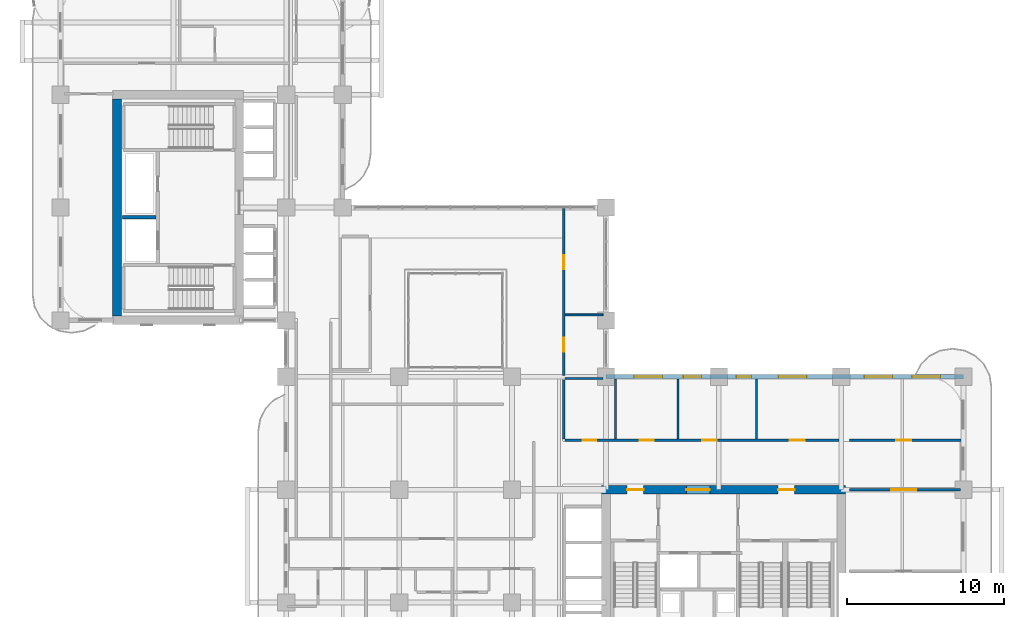
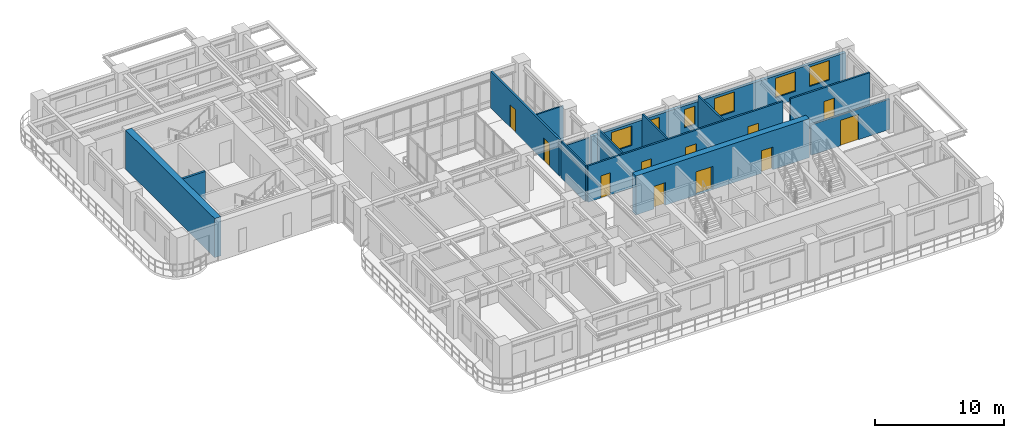
# One storey, part 15 of 22: 14 walls, 11 doors, 6 windows, 17 openings.
"""IFC4 building model written with IfcOpenShell, lengths in metres."""

from ifc_helpers import new_model, si_unit, derived_unit, direction, frame, frame_2d, origin, place, context, subcontext, project, spatial, rectangle, extrude, source, transform, mapped, material, layer, layer_set, type_object, type_shapes, element, fill, save


model = new_model("IFC4")

# Units and contexts
model_context = context("Model", 3, precision=1e-05, world=origin(), true_north=direction((0.0, 1.0)))
body_context = subcontext(model_context, "Body", "Model", "MODEL_VIEW")
ifc_project = project(units=[si_unit("LENGTHUNIT", "METRE"), si_unit("AREAUNIT", "SQUARE_METRE"), si_unit("VOLUMEUNIT", "CUBIC_METRE"), si_unit("PLANEANGLEUNIT", "RADIAN"), si_unit("MASSUNIT", "GRAM", prefix="KILO"), si_unit("THERMODYNAMICTEMPERATUREUNIT", "KELVIN"), si_unit("POWERUNIT", "WATT"), derived_unit("THERMALTRANSMITTANCEUNIT", [(si_unit("POWERUNIT", "WATT"), 1), (si_unit("AREAUNIT", "SQUARE_METRE"), -1), (si_unit("THERMODYNAMICTEMPERATUREUNIT", "KELVIN"), -1)])], contexts=[model_context])

# Site, building, storey
site_placement = place(None, origin())
site = spatial("IfcSite", under=ifc_project, at=site_placement, CompositionType="ELEMENT")
building_placement = place(site_placement, origin())
building = spatial("IfcBuilding", under=site, at=building_placement, Name="Zahravan Archway Hotel and Residences", CompositionType="ELEMENT")
storey_placement = place(building_placement, frame((0.0, 0.0, 80.5)))
storey = spatial("IfcBuildingStorey", under=building, at=storey_placement, Name="L19", CompositionType="ELEMENT", Elevation=80.5)

# Wall, openings, doors
ifc_material_1 = material(Name="Concrete C70/85", Category="concrete")
ifc_layer_1 = layer(ifc_material_1, 0.550048828125, Name="Concrete C70/85", Category="concrete")
ifc_layer_set_1 = layer_set([ifc_layer_1], Name="Concrete C70/85")
wall_type_1 = type_object("IfcWallType", Name="CW-CORE-550", PredefinedType="SHEAR", material=ifc_layer_set_1)
wall_1_placement = place(storey_placement, frame((34.52490234375, 14.39990234375, 0.0), z_axis=(0.0, 0.0, 1.0), x_axis=(1.0, 0.0, 0.0)))
wall_1 = element("IfcWall", 1, at=wall_1_placement, inside=storey, type_object=wall_type_1, Name="L19 Core A Shear N Wall 550 mm", PredefinedType="SHEAR", context=body_context, shape_type="SweptSolid", body=[
    extrude(rectangle(XDim=15.550048828125, YDim=0.550048828125, at=frame_2d((7.77490234375, 0.0))), origin(), (0.0, 0.0, 1.0), 3.699951171875),
])
opening_1_placement = place(wall_1_placement, frame((5.405029296875, 0.0, 0.0)))
opening_1 = element("IfcOpeningElement", 2, at=opening_1_placement, cuts=wall_1, Name="Opening FD-L1", PredefinedType="OPENING", context=body_context, shape_type="SweptSolid", body=[
    extrude(rectangle(XDim=1.5, YDim=2.199951171875, at=frame_2d((0.75, 1.10009765625))), frame((0.0, 0.28515625, 0.0), z_axis=(0.0, -1.0, 0.0), x_axis=(1.0, 0.0, 0.0)), (0.0, 0.0, 1.0), 0.570068359375),
])
opening_2_placement = place(wall_1_placement, frame((1.6201171875, 0.0, 0.0)))
opening_2 = element("IfcOpeningElement", 3, at=opening_2_placement, cuts=wall_1, Name="Opening FD-L2", PredefinedType="OPENING", context=body_context, shape_type="SweptSolid", body=[
    extrude(rectangle(XDim=1.050048828125, YDim=2.14990234375, at=frame_2d((0.52490234375, 1.074951171875))), frame((0.0, 0.28515625, 0.0), z_axis=(0.0, -1.0, 0.0), x_axis=(1.0, 0.0, 0.0)), (0.0, 0.0, 1.0), 0.570068359375),
])
opening_3_placement = place(wall_1_placement, frame((11.25, 0.0, 0.0)))
opening_3 = element("IfcOpeningElement", 4, at=opening_3_placement, cuts=wall_1, Name="Opening FD-L2", PredefinedType="OPENING", context=body_context, shape_type="SweptSolid", body=[
    extrude(rectangle(XDim=1.050048828125, YDim=2.14990234375, at=frame_2d((0.52490234375, 1.074951171875))), frame((0.0, 0.28515625, 0.0), z_axis=(0.0, -1.0, 0.0), x_axis=(1.0, 0.0, 0.0)), (0.0, 0.0, 1.0), 0.570068359375),
])
ifc_material_2 = material(Name="Fire-Rated Painted Steel", Category="steel")
door_type_1 = type_object("IfcDoorType", Name="FD-LOBBY-1100", OperationType="NOTDEFINED", PredefinedType="DOOR", material=ifc_material_2)
shared_shape_1 = source(origin(), body_context, "Body", "SweptSolid", [
    extrude(rectangle(XDim=1.050048828125, YDim=2.14990234375, at=frame_2d((0.52490234375, 1.074951171875))), frame((0.0, 0.02490234375, 0.0), z_axis=(0.0, -1.0, 0.0), x_axis=(1.0, 0.0, 0.0)), (0.0, 0.0, 1.0), 0.050048828125),
])
type_shapes(door_type_1, [shared_shape_1])
door_1_placement = place(opening_2_placement, origin())
door_1 = element("IfcDoor", 5, at=door_1_placement, inside=storey, type_object=door_type_1, Name="L19 Core A West Stair Lobby Door", OperationType="SINGLE_SWING_RIGHT", OverallHeight=2.14990234375, OverallWidth=1.050048828125, PredefinedType="DOOR", context=body_context, shape_type="MappedRepresentation", body=[
    mapped(shared_shape_1, transform((0.0, 0.0, 0.0), scale=1.0)),
])
fill(opening_2, door_1)
door_2_placement = place(opening_3_placement, origin())
door_2 = element("IfcDoor", 6, at=door_2_placement, inside=storey, type_object=door_type_1, Name="L19 Core A East Stair Lobby Door", OperationType="SINGLE_SWING_LEFT", OverallHeight=2.14990234375, OverallWidth=1.050048828125, PredefinedType="DOOR", context=body_context, shape_type="MappedRepresentation", body=[
    mapped(shared_shape_1, transform((0.0, 0.0, 0.0), scale=1.0)),
])
fill(opening_3, door_2)
door_type_2 = type_object("IfcDoorType", Name="FD-LOBBY-1500", OperationType="DOUBLE_DOOR_SINGLE_SWING", PredefinedType="DOOR", material=ifc_material_2)
shared_shape_2 = source(origin(), body_context, "Body", "SweptSolid", [
    extrude(rectangle(XDim=1.5, YDim=2.199951171875, at=frame_2d((0.75, 1.10009765625))), frame((0.0, 0.02490234375, 0.0), z_axis=(0.0, -1.0, 0.0), x_axis=(1.0, 0.0, 0.0)), (0.0, 0.0, 1.0), 0.050048828125),
])
type_shapes(door_type_2, [shared_shape_2])
door_3_placement = place(opening_1_placement, origin())
door_3 = element("IfcDoor", 7, at=door_3_placement, inside=storey, type_object=door_type_2, Name="L19 Core A FSAE Lobby Main Door", OperationType="DOUBLE_DOOR_SINGLE_SWING", OverallHeight=2.199951171875, OverallWidth=1.5, PredefinedType="DOOR", context=body_context, shape_type="MappedRepresentation", body=[
    mapped(shared_shape_2, transform((0.0, 0.0, 0.0), scale=1.0)),
])
fill(opening_1, door_3)

# Wall
wall_2_placement = place(storey_placement, frame((3.60009765625, 25.47509765625, 0.0), z_axis=(0.0, 0.0, 1.0), x_axis=(0.0, 1.0, 0.0)))
element("IfcWall", 8, at=wall_2_placement, inside=storey, type_object=wall_type_1, Name="L19 Core B Shear W Wall 550 mm", PredefinedType="SHEAR", context=body_context, shape_type="SweptSolid", body=[
    extrude(rectangle(XDim=13.849853515625, YDim=0.550048828125, at=frame_2d((6.9248046875, 0.0))), origin(), (0.0, 0.0, 1.0), 3.699951171875),
])

# Wall, openings, windows
ifc_material_3 = material(Name="Honed Red-Ochre Sandstone & Insulated Block", Category="masonry")
ifc_layer_2 = layer(ifc_material_3, 0.280029296875, Name="Honed Red-Ochre Sandstone & Insulated Block", Category="masonry")
ifc_layer_set_2 = layer_set([ifc_layer_2], Name="Honed Red-Ochre Sandstone & Insulated Block")
wall_type_2 = type_object("IfcWallType", Name="EW-LOG-280", PredefinedType="SOLIDWALL", material=ifc_layer_set_2)
wall_3_placement = place(storey_placement, frame((34.800048828125, 21.60009765625, 0.0), z_axis=(0.0, 0.0, 1.0), x_axis=(1.0, 0.0, 0.0)))
wall_3 = element("IfcWall", 9, at=wall_3_placement, inside=storey, type_object=wall_type_2, Name="L19 Exterior Sandstone Wall WA-NE", PredefinedType="SOLIDWALL", context=body_context, shape_type="SweptSolid", body=[
    extrude(rectangle(XDim=22.800048828125, YDim=0.280029296875, at=frame_2d((11.39990234375, 0.0))), origin(), (0.0, 0.0, 1.0), 2.885009765625),
])
opening_4_placement = place(wall_3_placement, frame((1.7958984375, 0.0, 0.800048828125)))
opening_4 = element("IfcOpeningElement", 10, at=opening_4_placement, cuts=wall_3, Name="Opening W-02", PredefinedType="OPENING", context=body_context, shape_type="SweptSolid", body=[
    extrude(rectangle(XDim=1.800048828125, YDim=1.85009765625, at=frame_2d((0.89990234375, 0.925048828125))), frame((0.0, 0.14990234375, 0.0), z_axis=(0.0, -1.0, 0.0), x_axis=(1.0, 0.0, 0.0)), (0.0, 0.0, 1.0), 0.300048828125),
])
opening_5_placement = place(wall_3_placement, frame((4.928955078125, 0.0, 0.800048828125)))
opening_5 = element("IfcOpeningElement", 11, at=opening_5_placement, cuts=wall_3, Name="Opening W-05", PredefinedType="OPENING", context=body_context, shape_type="SweptSolid", body=[
    extrude(rectangle(XDim=1.14990234375, YDim=1.800048828125, at=frame_2d((0.574951171875, 0.89990234375))), frame((0.0, 0.14990234375, 0.0), z_axis=(0.0, -1.0, 0.0), x_axis=(1.0, 0.0, 0.0)), (0.0, 0.0, 1.0), 0.300048828125),
])
opening_6_placement = place(wall_3_placement, frame((8.321044921875, 0.0, 0.800048828125)))
opening_6 = element("IfcOpeningElement", 12, at=opening_6_placement, cuts=wall_3, Name="Opening W-04", PredefinedType="OPENING", context=body_context, shape_type="SweptSolid", body=[
    extrude(rectangle(XDim=0.949951171875, YDim=1.75, at=frame_2d((0.47509765625, 0.875))), frame((0.0, 0.14990234375, 0.0), z_axis=(0.0, -1.0, 0.0), x_axis=(1.0, 0.0, 0.0)), (0.0, 0.0, 1.0), 0.300048828125),
])
opening_7_placement = place(wall_3_placement, frame((11.00390625, 0.0, 0.800048828125)))
opening_7 = element("IfcOpeningElement", 13, at=opening_7_placement, cuts=wall_3, Name="Opening W-02", PredefinedType="OPENING", context=body_context, shape_type="SweptSolid", body=[
    extrude(rectangle(XDim=1.800048828125, YDim=1.85009765625, at=frame_2d((0.89990234375, 0.925048828125))), frame((0.0, 0.14990234375, 0.0), z_axis=(0.0, -1.0, 0.0), x_axis=(1.0, 0.0, 0.0)), (0.0, 0.0, 1.0), 0.300048828125),
])
opening_8_placement = place(wall_3_placement, frame((16.47509765625, 0.0, 0.800048828125)))
opening_8 = element("IfcOpeningElement", 14, at=opening_8_placement, cuts=wall_3, Name="Opening W-02", PredefinedType="OPENING", context=body_context, shape_type="SweptSolid", body=[
    extrude(rectangle(XDim=1.800048828125, YDim=1.85009765625, at=frame_2d((0.89990234375, 0.925048828125))), frame((0.0, 0.14990234375, 0.0), z_axis=(0.0, -1.0, 0.0), x_axis=(1.0, 0.0, 0.0)), (0.0, 0.0, 1.0), 0.300048828125),
])
opening_9_placement = place(wall_3_placement, frame((19.52490234375, 0.0, 0.800048828125)))
opening_9 = element("IfcOpeningElement", 15, at=opening_9_placement, cuts=wall_3, Name="Opening W-02", PredefinedType="OPENING", context=body_context, shape_type="SweptSolid", body=[
    extrude(rectangle(XDim=1.800048828125, YDim=1.85009765625, at=frame_2d((0.89990234375, 0.925048828125))), frame((0.0, 0.14990234375, 0.0), z_axis=(0.0, -1.0, 0.0), x_axis=(1.0, 0.0, 0.0)), (0.0, 0.0, 1.0), 0.300048828125),
])
ifc_material_4 = material(Name="Bronze-Anodized Thermal-Break Aluminium & Low-E Glass", Category="aluminium")
window_type_1 = type_object("IfcWindowType", Name="WIN-NAR-950", PartitioningType="SINGLE_PANEL", PredefinedType="WINDOW", material=ifc_material_4)
shared_shape_3 = source(origin(), body_context, "Body", "SweptSolid", [
    extrude(rectangle(XDim=0.949951171875, YDim=1.75, at=frame_2d((0.47509765625, 0.875))), frame((0.0, 0.030029296875, 0.0), z_axis=(0.0, -1.0, 0.0), x_axis=(1.0, 0.0, 0.0)), (0.0, 0.0, 1.0), 0.06005859375),
])
type_shapes(window_type_1, [shared_shape_3])
window_1_placement = place(opening_6_placement, origin())
window_1 = element("IfcWindow", 16, at=window_1_placement, inside=storey, type_object=window_type_1, Name="L19 Loggia Window 19", OverallHeight=1.75, OverallWidth=0.949951171875, PartitioningType="SINGLE_PANEL", PredefinedType="WINDOW", context=body_context, shape_type="MappedRepresentation", body=[
    mapped(shared_shape_3, transform((0.0, 0.0, 0.0), scale=1.0)),
])
fill(opening_6, window_1)
window_type_2 = type_object("IfcWindowType", Name="WIN-TWR-1800", PartitioningType="DOUBLE_PANEL_VERTICAL", PredefinedType="WINDOW", material=ifc_material_4)
shared_shape_4 = source(origin(), body_context, "Body", "SweptSolid", [
    extrude(rectangle(XDim=1.800048828125, YDim=1.85009765625, at=frame_2d((0.89990234375, 0.925048828125))), frame((0.0, 0.030029296875, 0.0), z_axis=(0.0, -1.0, 0.0), x_axis=(1.0, 0.0, 0.0)), (0.0, 0.0, 1.0), 0.06005859375),
])
type_shapes(window_type_2, [shared_shape_4])
window_2_placement = place(opening_4_placement, origin())
window_2 = element("IfcWindow", 17, at=window_2_placement, inside=storey, type_object=window_type_2, Name="L19 Loggia Window 17", OverallHeight=1.85009765625, OverallWidth=1.800048828125, PartitioningType="DOUBLE_PANEL_VERTICAL", PredefinedType="WINDOW", context=body_context, shape_type="MappedRepresentation", body=[
    mapped(shared_shape_4, transform((0.0, 0.0, 0.0), scale=1.0)),
])
fill(opening_4, window_2)
window_3_placement = place(opening_7_placement, origin())
window_3 = element("IfcWindow", 18, at=window_3_placement, inside=storey, type_object=window_type_2, Name="L19 Loggia Window 20", OverallHeight=1.85009765625, OverallWidth=1.800048828125, PartitioningType="DOUBLE_PANEL_VERTICAL", PredefinedType="WINDOW", context=body_context, shape_type="MappedRepresentation", body=[
    mapped(shared_shape_4, transform((0.0, 0.0, 0.0), scale=1.0)),
])
fill(opening_7, window_3)
window_4_placement = place(opening_8_placement, origin())
window_4 = element("IfcWindow", 19, at=window_4_placement, inside=storey, type_object=window_type_2, Name="L19 Loggia Window 21", OverallHeight=1.85009765625, OverallWidth=1.800048828125, PartitioningType="DOUBLE_PANEL_VERTICAL", PredefinedType="WINDOW", context=body_context, shape_type="MappedRepresentation", body=[
    mapped(shared_shape_4, transform((0.0, 0.0, 0.0), scale=1.0)),
])
fill(opening_8, window_4)
window_5_placement = place(opening_9_placement, origin())
window_5 = element("IfcWindow", 20, at=window_5_placement, inside=storey, type_object=window_type_2, Name="L19 Loggia Window 22", OverallHeight=1.85009765625, OverallWidth=1.800048828125, PartitioningType="DOUBLE_PANEL_VERTICAL", PredefinedType="WINDOW", context=body_context, shape_type="MappedRepresentation", body=[
    mapped(shared_shape_4, transform((0.0, 0.0, 0.0), scale=1.0)),
])
fill(opening_9, window_5)
window_type_3 = type_object("IfcWindowType", Name="WIN-TWR-1150", PartitioningType="SINGLE_PANEL", PredefinedType="WINDOW", material=ifc_material_4)
shared_shape_5 = source(origin(), body_context, "Body", "SweptSolid", [
    extrude(rectangle(XDim=1.14990234375, YDim=1.800048828125, at=frame_2d((0.574951171875, 0.89990234375))), frame((0.0, 0.030029296875, 0.0), z_axis=(0.0, -1.0, 0.0), x_axis=(1.0, 0.0, 0.0)), (0.0, 0.0, 1.0), 0.06005859375),
])
type_shapes(window_type_3, [shared_shape_5])
window_6_placement = place(opening_5_placement, origin())
window_6 = element("IfcWindow", 21, at=window_6_placement, inside=storey, type_object=window_type_3, Name="L19 Loggia Window 18", OverallHeight=1.800048828125, OverallWidth=1.14990234375, PartitioningType="SINGLE_PANEL", PredefinedType="WINDOW", context=body_context, shape_type="MappedRepresentation", body=[
    mapped(shared_shape_5, transform((0.0, 0.0, 0.0), scale=1.0)),
])
fill(opening_5, window_6)

# Wall, openings, doors
ifc_material_5 = material(Name="Fire-Rated Gypsum & Concrete Block", Category="concrete")
ifc_layer_3 = layer(ifc_material_5, 0.159912109375, Name="Fire-Rated Gypsum & Concrete Block", Category="concrete")
ifc_layer_set_3 = layer_set([ifc_layer_3], Name="Fire-Rated Gypsum & Concrete Block")
wall_type_3 = type_object("IfcWallType", Name="PW-CORR-160", PredefinedType="PARTITIONING", material=ifc_layer_set_3)
wall_4_placement = place(storey_placement, frame((32.18994140625, 17.550048828125, 0.0), z_axis=(0.0, 0.0, 1.0), x_axis=(1.0, 0.0, 0.0)))
wall_4 = element("IfcWall", 22, at=wall_4_placement, inside=storey, type_object=wall_type_3, Name="L19 Partition WA-FN", PredefinedType="PARTITIONING", context=body_context, shape_type="SweptSolid", body=[
    extrude(rectangle(XDim=17.469970703125, YDim=0.159912109375, at=frame_2d((8.73486328125, 0.0))), origin(), (0.0, 0.0, 1.0), 3.449951171875),
])
opening_10_placement = place(wall_4_placement, frame((1.135009765625, 0.0, 0.0)))
opening_10 = element("IfcOpeningElement", 23, at=opening_10_placement, cuts=wall_4, Name="Opening D-B1", PredefinedType="OPENING", context=body_context, shape_type="SweptSolid", body=[
    extrude(rectangle(XDim=0.85009765625, YDim=2.10009765625, at=frame_2d((0.425048828125, 1.050048828125))), frame((0.0, 0.08984375, 0.0), z_axis=(0.0, -1.0, 0.0), x_axis=(1.0, 0.0, 0.0)), (0.0, 0.0, 1.0), 0.179931640625),
])
opening_11_placement = place(wall_4_placement, frame((4.760009765625, 0.0, 0.0)))
opening_11 = element("IfcOpeningElement", 24, at=opening_11_placement, cuts=wall_4, Name="Opening D-I2", PredefinedType="OPENING", context=body_context, shape_type="SweptSolid", body=[
    extrude(rectangle(XDim=0.89990234375, YDim=2.14990234375, at=frame_2d((0.449951171875, 1.074951171875))), frame((0.0, 0.08984375, 0.0), z_axis=(0.0, -1.0, 0.0), x_axis=(1.0, 0.0, 0.0)), (0.0, 0.0, 1.0), 0.179931640625),
])
opening_12_placement = place(wall_4_placement, frame((8.735107421875, 0.0, 0.0)))
opening_12 = element("IfcOpeningElement", 25, at=opening_12_placement, cuts=wall_4, Name="Opening D-I1", PredefinedType="OPENING", context=body_context, shape_type="SweptSolid", body=[
    extrude(rectangle(XDim=0.949951171875, YDim=2.14990234375, at=frame_2d((0.47509765625, 1.074951171875))), frame((0.0, 0.08984375, 0.0), z_axis=(0.0, -1.0, 0.0), x_axis=(1.0, 0.0, 0.0)), (0.0, 0.0, 1.0), 0.179931640625),
])
opening_13_placement = place(wall_4_placement, frame((14.3349609375, 0.0, 0.0)))
opening_13 = element("IfcOpeningElement", 26, at=opening_13_placement, cuts=wall_4, Name="Opening D-I1", PredefinedType="OPENING", context=body_context, shape_type="SweptSolid", body=[
    extrude(rectangle(XDim=0.949951171875, YDim=2.14990234375, at=frame_2d((0.47509765625, 1.074951171875))), frame((0.0, 0.08984375, 0.0), z_axis=(0.0, -1.0, 0.0), x_axis=(1.0, 0.0, 0.0)), (0.0, 0.0, 1.0), 0.179931640625),
])
ifc_material_6 = material(Name="Hardwood Veneer Timber", Category="wood")
door_type_3 = type_object("IfcDoorType", Name="ID-BATH-850", OperationType="NOTDEFINED", PredefinedType="DOOR", material=ifc_material_6)
shared_shape_6 = source(origin(), body_context, "Body", "SweptSolid", [
    extrude(rectangle(XDim=0.85009765625, YDim=2.10009765625, at=frame_2d((0.425048828125, 1.050048828125))), frame((0.0, 0.02490234375, 0.0), z_axis=(0.0, -1.0, 0.0), x_axis=(1.0, 0.0, 0.0)), (0.0, 0.0, 1.0), 0.050048828125),
])
type_shapes(door_type_3, [shared_shape_6])
door_4_placement = place(opening_10_placement, origin())
door_4 = element("IfcDoor", 27, at=door_4_placement, inside=storey, type_object=door_type_3, Name="L19 Accessible WC Door", OperationType="SINGLE_SWING_LEFT", OverallHeight=2.10009765625, OverallWidth=0.85009765625, PredefinedType="DOOR", context=body_context, shape_type="MappedRepresentation", body=[
    mapped(shared_shape_6, transform((0.0, 0.0, 0.0), scale=1.0)),
])
fill(opening_10, door_4)
door_type_4 = type_object("IfcDoorType", Name="ID-INT-950", OperationType="NOTDEFINED", PredefinedType="DOOR", material=ifc_material_6)
shared_shape_7 = source(origin(), body_context, "Body", "SweptSolid", [
    extrude(rectangle(XDim=0.949951171875, YDim=2.14990234375, at=frame_2d((0.47509765625, 1.074951171875))), frame((0.0, 0.02490234375, 0.0), z_axis=(0.0, -1.0, 0.0), x_axis=(1.0, 0.0, 0.0)), (0.0, 0.0, 1.0), 0.050048828125),
])
type_shapes(door_type_4, [shared_shape_7])
door_5_placement = place(opening_12_placement, origin())
door_5 = element("IfcDoor", 28, at=door_5_placement, inside=storey, type_object=door_type_4, Name="L19 Boardroom Door", OperationType="SINGLE_SWING_LEFT", OverallHeight=2.14990234375, OverallWidth=0.949951171875, PredefinedType="DOOR", context=body_context, shape_type="MappedRepresentation", body=[
    mapped(shared_shape_7, transform((0.0, 0.0, 0.0), scale=1.0)),
])
fill(opening_12, door_5)
door_6_placement = place(opening_13_placement, origin())
door_6 = element("IfcDoor", 29, at=door_6_placement, inside=storey, type_object=door_type_4, Name="L19 Therapy Clinic Door", OperationType="SINGLE_SWING_RIGHT", OverallHeight=2.14990234375, OverallWidth=0.949951171875, PredefinedType="DOOR", context=body_context, shape_type="MappedRepresentation", body=[
    mapped(shared_shape_7, transform((0.0, 0.0, 0.0), scale=1.0)),
])
fill(opening_13, door_6)
door_type_5 = type_object("IfcDoorType", Name="ID-INT-900", OperationType="NOTDEFINED", PredefinedType="DOOR", material=ifc_material_6)
shared_shape_8 = source(origin(), body_context, "Body", "SweptSolid", [
    extrude(rectangle(XDim=0.89990234375, YDim=2.14990234375, at=frame_2d((0.449951171875, 1.074951171875))), frame((0.0, 0.02490234375, 0.0), z_axis=(0.0, -1.0, 0.0), x_axis=(1.0, 0.0, 0.0)), (0.0, 0.0, 1.0), 0.050048828125),
])
type_shapes(door_type_5, [shared_shape_8])
door_7_placement = place(opening_11_placement, origin())
door_7 = element("IfcDoor", 30, at=door_7_placement, inside=storey, type_object=door_type_5, Name="L19 Pantry Door", OperationType="SINGLE_SWING_RIGHT", OverallHeight=2.14990234375, OverallWidth=0.89990234375, PredefinedType="DOOR", context=body_context, shape_type="MappedRepresentation", body=[
    mapped(shared_shape_8, transform((0.0, 0.0, 0.0), scale=1.0)),
])
fill(opening_11, door_7)

# Wall, opening, door
wall_5_placement = place(storey_placement, frame((50.340087890625, 17.550048828125, 0.0), z_axis=(0.0, 0.0, 1.0), x_axis=(1.0, 0.0, 0.0)))
wall_5 = element("IfcWall", 31, at=wall_5_placement, inside=storey, type_object=wall_type_3, Name="L19 Partition EA-PN", PredefinedType="PARTITIONING", context=body_context, shape_type="SweptSolid", body=[
    extrude(rectangle(XDim=7.11181640625, YDim=0.159912109375, at=frame_2d((3.555908203125, 0.0))), origin(), (0.0, 0.0, 1.0), 3.449951171875),
])
opening_14_placement = place(wall_5_placement, frame((2.985107421875, 0.0, 0.0)))
opening_14 = element("IfcOpeningElement", 32, at=opening_14_placement, cuts=wall_5, Name="Opening D-I1", PredefinedType="OPENING", context=body_context, shape_type="SweptSolid", body=[
    extrude(rectangle(XDim=0.949951171875, YDim=2.14990234375, at=frame_2d((0.47509765625, 1.074951171875))), frame((0.0, 0.08984375, 0.0), z_axis=(0.0, -1.0, 0.0), x_axis=(1.0, 0.0, 0.0)), (0.0, 0.0, 1.0), 0.179931640625),
])
door_8_placement = place(opening_14_placement, origin())
door_8 = element("IfcDoor", 33, at=door_8_placement, inside=storey, type_object=door_type_4, Name="L19 East Co-Working Office Door", OperationType="SINGLE_SWING_RIGHT", OverallHeight=2.14990234375, OverallWidth=0.949951171875, PredefinedType="DOOR", context=body_context, shape_type="MappedRepresentation", body=[
    mapped(shared_shape_7, transform((0.0, 0.0, 0.0), scale=1.0)),
])
fill(opening_14, door_8)

# Walls
ifc_material_7 = material(Name="Acoustic Stud Partition")
ifc_layer_4 = layer(ifc_material_7, 0.125, Name="Acoustic Stud Partition")
ifc_layer_set_4 = layer_set([ifc_layer_4], Name="Acoustic Stud Partition")
wall_type_4 = type_object("IfcWallType", Name="PW-INT-125", PredefinedType="PARTITIONING", material=ifc_layer_set_4)
wall_6_placement = place(storey_placement, frame((32.18994140625, 25.550048828125, 0.0), z_axis=(0.0, 0.0, 1.0), x_axis=(1.0, 0.0, 0.0)))
element("IfcWall", 34, at=wall_6_placement, inside=storey, type_object=wall_type_4, Name="L19 Partition ATR-EM1", PredefinedType="PARTITIONING", context=body_context, shape_type="SweptSolid", body=[
    extrude(rectangle(XDim=2.420166015625, YDim=0.125, at=frame_2d((1.2099609375, 0.0))), origin(), (0.0, 0.0, 1.0), 3.449951171875),
])
ifc_layer_5 = layer(ifc_material_5, 0.199951171875, Name="Fire-Rated Gypsum & Concrete Block", Category="concrete")
ifc_layer_set_5 = layer_set([ifc_layer_5], Name="Fire-Rated Gypsum & Concrete Block")
wall_type_5 = type_object("IfcWallType", Name="PW-SHAFT-200", PredefinedType="PARTITIONING", material=ifc_layer_set_5)
wall_7_placement = place(storey_placement, frame((3.9599609375, 31.780029296875, 0.0), z_axis=(0.0, 0.0, 1.0), x_axis=(1.0, 0.0, 0.0)))
element("IfcWall", 35, at=wall_7_placement, inside=storey, type_object=wall_type_5, Name="L19 Partition CB-FL3N", PredefinedType="PARTITIONING", context=body_context, shape_type="SweptSolid", body=[
    extrude(rectangle(XDim=2.130126953125, YDim=0.199951171875, at=frame_2d((1.06494140625, 0.0))), origin(), (0.0, 0.0, 1.0), 3.449951171875),
])

# Wall, opening, door
ifc_layer_6 = layer(ifc_material_7, 0.169921875, Name="Acoustic Stud Partition")
ifc_layer_set_6 = layer_set([ifc_layer_6], Name="Acoustic Stud Partition")
wall_type_6 = type_object("IfcWallType", Name="PW-UNIT-170", PredefinedType="PARTITIONING", material=ifc_layer_set_6)
wall_8_placement = place(storey_placement, frame((50.340087890625, 14.39990234375, 0.0), z_axis=(0.0, 0.0, 1.0), x_axis=(1.0, 0.0, 0.0)))
wall_8 = element("IfcWall", 36, at=wall_8_placement, inside=storey, type_object=wall_type_6, Name="L19 Partition EA-PS", PredefinedType="PARTITIONING", context=body_context, shape_type="SweptSolid", body=[
    extrude(rectangle(XDim=7.06982421875, YDim=0.169921875, at=frame_2d((3.534912109375, 0.0))), origin(), (0.0, 0.0, 1.0), 2.885009765625),
])
opening_15_placement = place(wall_8_placement, frame((2.659912109375, 0.0, 0.0)))
opening_15 = element("IfcOpeningElement", 37, at=opening_15_placement, cuts=wall_8, Name="Opening D-P2", PredefinedType="OPENING", context=body_context, shape_type="SweptSolid", body=[
    extrude(rectangle(XDim=1.60009765625, YDim=2.39990234375, at=frame_2d((0.800048828125, 1.199951171875))), frame((0.0, 0.094970703125, 0.0), z_axis=(0.0, -1.0, 0.0), x_axis=(1.0, 0.0, 0.0)), (0.0, 0.0, 1.0), 0.18994140625),
])
ifc_material_8 = material(Name="Bronze-Anodized Glazed Aluminium", Category="aluminium")
door_type_6 = type_object("IfcDoorType", Name="ID-PUBLIC-1600", OperationType="DOUBLE_DOOR_SINGLE_SWING", PredefinedType="DOOR", material=ifc_material_8)
shared_shape_9 = source(origin(), body_context, "Body", "SweptSolid", [
    extrude(rectangle(XDim=1.60009765625, YDim=2.39990234375, at=frame_2d((0.800048828125, 1.199951171875))), frame((0.0, 0.02490234375, 0.0), z_axis=(0.0, -1.0, 0.0), x_axis=(1.0, 0.0, 0.0)), (0.0, 0.0, 1.0), 0.050048828125),
])
type_shapes(door_type_6, [shared_shape_9])
door_9_placement = place(opening_15_placement, origin())
door_9 = element("IfcDoor", 38, at=door_9_placement, inside=storey, type_object=door_type_6, Name="L19 East Banquet Dining Door", OperationType="DOUBLE_DOOR_SINGLE_SWING", OverallHeight=2.39990234375, OverallWidth=1.60009765625, PredefinedType="DOOR", context=body_context, shape_type="MappedRepresentation", body=[
    mapped(shared_shape_9, transform((0.0, 0.0, 0.0), scale=1.0)),
])
fill(opening_15, door_9)

# Wall, openings, doors
wall_9_placement = place(storey_placement, frame((32.10009765625, 21.669921875, 0.0), z_axis=(0.0, 0.0, 1.0), x_axis=(0.0, 1.0, 0.0)))
wall_9 = element("IfcWall", 39, at=wall_9_placement, inside=storey, type_object=wall_type_6, Name="L19 Partition ATR-E", PredefinedType="PARTITIONING", context=body_context, shape_type="SweptSolid", body=[
    extrude(rectangle(XDim=10.7021484375, YDim=0.169921875, at=frame_2d((5.35107421875, 0.0))), origin(), (0.0, 0.0, 1.0), 3.449951171875),
])
opening_16_placement = place(wall_9_placement, frame((1.530029296875, 0.0, 0.0)))
opening_16 = element("IfcOpeningElement", 40, at=opening_16_placement, cuts=wall_9, Name="Opening D-I2", PredefinedType="OPENING", context=body_context, shape_type="SweptSolid", body=[
    extrude(rectangle(XDim=0.89990234375, YDim=2.14990234375, at=frame_2d((0.449951171875, 1.074951171875))), frame((0.0, 0.094970703125, 0.0), z_axis=(0.0, -1.0, 0.0), x_axis=(1.0, 0.0, 0.0)), (0.0, 0.0, 1.0), 0.18994140625),
])
opening_17_placement = place(wall_9_placement, frame((6.780029296875, 0.0, 0.0)))
opening_17 = element("IfcOpeningElement", 41, at=opening_17_placement, cuts=wall_9, Name="Opening D-I2", PredefinedType="OPENING", context=body_context, shape_type="SweptSolid", body=[
    extrude(rectangle(XDim=0.89990234375, YDim=2.14990234375, at=frame_2d((0.449951171875, 1.074951171875))), frame((0.0, 0.094970703125, 0.0), z_axis=(0.0, -1.0, 0.0), x_axis=(1.0, 0.0, 0.0)), (0.0, 0.0, 1.0), 0.18994140625),
])
door_10_placement = place(opening_16_placement, origin())
door_10 = element("IfcDoor", 42, at=door_10_placement, inside=storey, type_object=door_type_5, Name="L19 Atrium Office Door", OperationType="SINGLE_SWING_RIGHT", OverallHeight=2.14990234375, OverallWidth=0.89990234375, PredefinedType="DOOR", context=body_context, shape_type="MappedRepresentation", body=[
    mapped(shared_shape_8, transform((0.0, 0.0, 0.0), scale=1.0)),
])
fill(opening_16, door_10)
door_11_placement = place(opening_17_placement, origin())
door_11 = element("IfcDoor", 43, at=door_11_placement, inside=storey, type_object=door_type_5, Name="L19 Atrium Boardroom Door", OperationType="SINGLE_SWING_LEFT", OverallHeight=2.14990234375, OverallWidth=0.89990234375, PredefinedType="DOOR", context=body_context, shape_type="MappedRepresentation", body=[
    mapped(shared_shape_8, transform((0.0, 0.0, 0.0), scale=1.0)),
])
fill(opening_17, door_11)

# Walls
ifc_material_9 = material(Name="Moisture-Resistant Blockwork", Category="masonry")
ifc_layer_7 = layer(ifc_material_9, 0.139892578125, Name="Moisture-Resistant Blockwork", Category="masonry")
ifc_layer_set_7 = layer_set([ifc_layer_7], Name="Moisture-Resistant Blockwork")
wall_type_7 = type_object("IfcWallType", Name="PW-WET-140", PredefinedType="PARTITIONING", material=ifc_layer_set_7)
wall_10_placement = place(storey_placement, frame((32.10009765625, 17.639892578125, 0.0), z_axis=(0.0, 0.0, 1.0), x_axis=(0.0, 1.0, 0.0)))
element("IfcWall", 44, at=wall_10_placement, inside=storey, type_object=wall_type_7, Name="L19 Partition NE-W0", PredefinedType="PARTITIONING", context=body_context, shape_type="SweptSolid", body=[
    extrude(rectangle(XDim=3.77001953125, YDim=0.139892578125, at=frame_2d((1.885009765625, 0.0))), origin(), (0.0, 0.0, 1.0), 3.449951171875),
])
for number, where, z_axis, x_axis, name in (
    (45, (35.39990234375, 17.639892578125, 0.0), (0.0, 0.0, 1.0), (0.0, 1.0, 0.0), "L19 Partition NE2-1"),
    (46, (39.39990234375, 17.639892578125, 0.0), (0.0, 0.0, 1.0), (0.0, 1.0, 0.0), "L19 Partition NE2-2"),
    (47, (44.39990234375, 17.639892578125, 0.0), (0.0, 0.0, 1.0), (0.0, 1.0, 0.0), "L19 Partition NE2-3"),
):
    element("IfcWall", number, at=place(storey_placement, frame(where, z_axis=z_axis, x_axis=x_axis)), inside=storey, type_object=wall_type_7, Name=name, PredefinedType="PARTITIONING", context=body_context, shape_type="SweptSolid", body=[
        extrude(rectangle(XDim=3.81201171875, YDim=0.139892578125, at=frame_2d((1.906005859375, 0.0))), origin(), (0.0, 0.0, 1.0), 3.449951171875),
    ])
wall_11_placement = place(storey_placement, frame((32.18994140625, 21.5, 0.0), z_axis=(0.0, 0.0, 1.0), x_axis=(1.0, 0.0, 0.0)))
element("IfcWall", 48, at=wall_11_placement, inside=storey, type_object=wall_type_7, Name="L19 Partition ATR-ES", PredefinedType="PARTITIONING", context=body_context, shape_type="SweptSolid", body=[
    extrude(rectangle(XDim=2.420166015625, YDim=0.139892578125, at=frame_2d((1.2099609375, 0.0))), origin(), (0.0, 0.0, 1.0), 2.885009765625),
])

save(model, "model.ifc")
